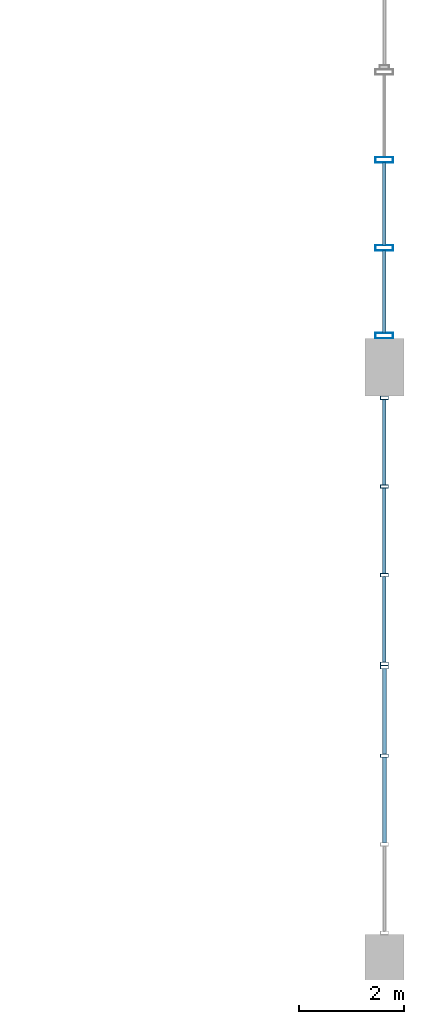
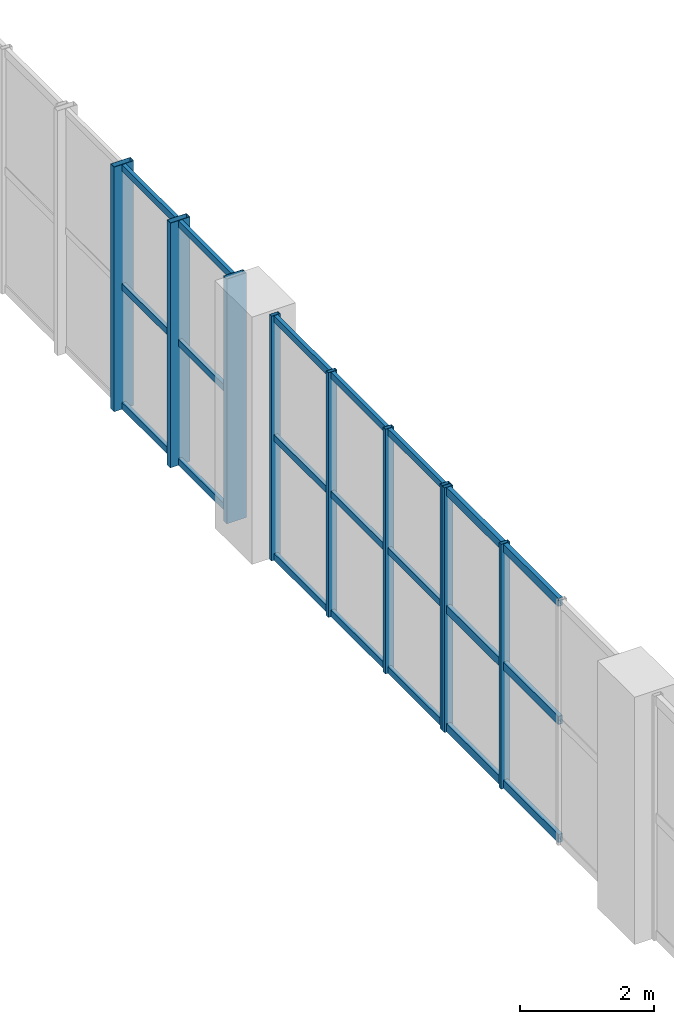
# One storey, part 49 of 80: 30 members, 3 elements without a shape of their own.
"""IFC4 building model written with IfcOpenShell, lengths in metres."""

from ifc_helpers import new_model, si_unit, direction, frame, origin, origin_2d, place, context, subcontext, project, spatial, hollow_rectangle, extrude, material, layer, layer_set, material_profile, profile_set, type_object, element, aggregate, save


model = new_model("IFC4")

# Units and contexts
model_context = context("Model", 3, precision=1e-05, world=origin(), true_north=direction((0.0, 1.0)))
body_context = subcontext(model_context, "Body", "Model", "MODEL_VIEW")
ifc_project = project(units=[si_unit("LENGTHUNIT", "METRE"), si_unit("AREAUNIT", "SQUARE_METRE"), si_unit("VOLUMEUNIT", "CUBIC_METRE"), si_unit("PLANEANGLEUNIT", "RADIAN"), si_unit("MASSUNIT", "GRAM", prefix="KILO"), si_unit("POWERUNIT", "WATT"), si_unit("THERMODYNAMICTEMPERATUREUNIT", "KELVIN")], contexts=[model_context])

# Site, building, storey
site_placement = place(None, origin())
site = spatial("IfcSite", under=ifc_project, at=site_placement, CompositionType="ELEMENT")
building_placement = place(site_placement, origin())
building = spatial("IfcBuilding", under=site, at=building_placement, Name="Kelmbourne Parkland Aquatics Centre", CompositionType="ELEMENT")
storey_placement = place(building_placement, frame((0.0, 0.0, 10.199951171875)))
storey = spatial("IfcBuildingStorey", under=building, at=storey_placement, Name="L02", CompositionType="ELEMENT", Elevation=10.199951171875)

# Curtain wall, members
ifc_material = material(Name="Thermally broken anodised aluminium framing", Category="aluminium")
ifc_layer_1 = layer(ifc_material, 0.179931640625)
ifc_layer_set_1 = layer_set([ifc_layer_1], Name="Thermally broken anodised aluminium framing")
curtain_wall_type_1 = type_object("IfcCurtainWallType", Name="CW-22", PredefinedType="NOTDEFINED", material=ifc_layer_set_1)
curtain_wall_1_placement = place(storey_placement, origin())
curtain_wall_1 = element("IfcCurtainWall", 1, at=curtain_wall_1_placement, inside=storey, type_object=curtain_wall_type_1, Name="Wave-hall clerestory curtain wall CW-L02-070", PredefinedType="NOTDEFINED")
ifc_material_profile_1 = material_profile(ifc_material, hollow_rectangle(XDim=0.06494140625, YDim=0.14990234375, WallThickness=0.00390625, at=origin_2d()), Name="CW-M 65x150")
ifc_profile_set_1 = profile_set([ifc_material_profile_1], Name="Thermally broken anodised aluminium framing")
member_type_1 = type_object("IfcMemberType", Name="MB-MUL-1", PredefinedType="MULLION", material=ifc_profile_set_1)
member_1_placement = place(storey_placement, frame((175.199951171875, 84.5732421875, 0.0), z_axis=(0.0, 0.0, 1.0), x_axis=(0.0, 1.0, 0.0)))
member_1 = element("IfcMember", 2, at=member_1_placement, type_object=member_type_1, Name="CW-L02-070 mullion 2", PredefinedType="MULLION", context=body_context, shape_type="SweptSolid", body=[
    extrude(hollow_rectangle(XDim=0.06494140625, YDim=0.14990234375, WallThickness=0.00390625, at=origin_2d()), origin(), (0.0, 0.0, 1.0), 4.449951171875),
])
member_2_placement = place(storey_placement, frame((175.199951171875, 86.267578125, 0.0), z_axis=(0.0, 0.0, 1.0), x_axis=(0.0, 1.0, 0.0)))
member_2 = element("IfcMember", 3, at=member_2_placement, type_object=member_type_1, Name="CW-L02-070 mullion 3", PredefinedType="MULLION", context=body_context, shape_type="SweptSolid", body=[
    extrude(hollow_rectangle(XDim=0.06494140625, YDim=0.14990234375, WallThickness=0.00390625, at=origin_2d()), origin(), (0.0, 0.0, 1.0), 4.449951171875),
])

ifc_layer_2 = layer(ifc_material, 0.179931640625)
ifc_layer_set_2 = layer_set([ifc_layer_2], Name="Thermally broken anodised aluminium framing")
curtain_wall_type_2 = type_object("IfcCurtainWallType", Name="CW-03", PredefinedType="NOTDEFINED", material=ifc_layer_set_2)
curtain_wall_2_placement = place(storey_placement, origin())
curtain_wall_2 = element("IfcCurtainWall", 4, at=curtain_wall_2_placement, inside=storey, type_object=curtain_wall_type_2, Name="Wave-hall clerestory curtain wall CW-L02-075", PredefinedType="NOTDEFINED")
member_3_placement = place(storey_placement, frame((175.199951171875, 86.33251953125, 0.0), z_axis=(0.0, 0.0, 1.0), x_axis=(0.0, 1.0, 0.0)))
member_3 = element("IfcMember", 5, at=member_3_placement, type_object=member_type_1, Name="CW-L02-075 mullion 0", PredefinedType="MULLION", context=body_context, shape_type="SweptSolid", body=[
    extrude(hollow_rectangle(XDim=0.06494140625, YDim=0.14990234375, WallThickness=0.00390625, at=origin_2d()), origin(), (0.0, 0.0, 1.0), 4.449951171875),
])
member_4_placement = place(storey_placement, frame((175.199951171875, 88.02685546875, 0.0), z_axis=(0.0, 0.0, 1.0), x_axis=(0.0, 1.0, 0.0)))
member_4 = element("IfcMember", 6, at=member_4_placement, type_object=member_type_1, Name="CW-L02-075 mullion 1", PredefinedType="MULLION", context=body_context, shape_type="SweptSolid", body=[
    extrude(hollow_rectangle(XDim=0.06494140625, YDim=0.14990234375, WallThickness=0.00390625, at=origin_2d()), origin(), (0.0, 0.0, 1.0), 4.449951171875),
])
member_5_placement = place(storey_placement, frame((175.199951171875, 89.72119140625, 0.0), z_axis=(0.0, 0.0, 1.0), x_axis=(0.0, 1.0, 0.0)))
member_5 = element("IfcMember", 7, at=member_5_placement, type_object=member_type_1, Name="CW-L02-075 mullion 2", PredefinedType="MULLION", context=body_context, shape_type="SweptSolid", body=[
    extrude(hollow_rectangle(XDim=0.06494140625, YDim=0.14990234375, WallThickness=0.00390625, at=origin_2d()), origin(), (0.0, 0.0, 1.0), 4.449951171875),
])
member_6_placement = place(storey_placement, frame((175.199951171875, 91.41552734375, 0.0), z_axis=(0.0, 0.0, 1.0), x_axis=(0.0, 1.0, 0.0)))
member_6 = element("IfcMember", 8, at=member_6_placement, type_object=member_type_1, Name="CW-L02-075 mullion 3", PredefinedType="MULLION", context=body_context, shape_type="SweptSolid", body=[
    extrude(hollow_rectangle(XDim=0.06494140625, YDim=0.14990234375, WallThickness=0.00390625, at=origin_2d()), origin(), (0.0, 0.0, 1.0), 4.449951171875),
])

ifc_layer_3 = layer(ifc_material, 0.179931640625)
ifc_layer_set_3 = layer_set([ifc_layer_3], Name="Thermally broken anodised aluminium framing")
curtain_wall_type_3 = type_object("IfcCurtainWallType", Name="CW-12", PredefinedType="NOTDEFINED", material=ifc_layer_set_3)
curtain_wall_3_placement = place(storey_placement, origin())
curtain_wall_3 = element("IfcCurtainWall", 9, at=curtain_wall_3_placement, inside=storey, type_object=curtain_wall_type_3, Name="Wave-hall clerestory curtain wall CW-L02-084", PredefinedType="NOTDEFINED")
ifc_material_profile_2 = material_profile(ifc_material, hollow_rectangle(XDim=0.10498046875, YDim=0.340087890625, WallThickness=0.006103515625, at=origin_2d()), Name="CW-M 105x340")
ifc_profile_set_2 = profile_set([ifc_material_profile_2], Name="Thermally broken anodised aluminium framing")
member_type_2 = type_object("IfcMemberType", Name="MB-MUL-5", PredefinedType="MULLION", material=ifc_profile_set_2)
member_7_placement = place(storey_placement, frame((175.199951171875, 92.6044921875, 0.0), z_axis=(0.0, 0.0, 1.0), x_axis=(0.0, 1.0, 0.0)))
member_7 = element("IfcMember", 10, at=member_7_placement, type_object=member_type_2, Name="CW-L02-084 mullion 0", PredefinedType="MULLION", context=body_context, shape_type="SweptSolid", body=[
    extrude(hollow_rectangle(XDim=0.10498046875, YDim=0.340087890625, WallThickness=0.006103515625, at=origin_2d()), origin(), (0.0, 0.0, 1.0), 4.449951171875),
])
member_8_placement = place(storey_placement, frame((175.199951171875, 94.285400390625, 0.0), z_axis=(0.0, 0.0, 1.0), x_axis=(0.0, 1.0, 0.0)))
member_8 = element("IfcMember", 11, at=member_8_placement, type_object=member_type_2, Name="CW-L02-084 mullion 1", PredefinedType="MULLION", context=body_context, shape_type="SweptSolid", body=[
    extrude(hollow_rectangle(XDim=0.10498046875, YDim=0.340087890625, WallThickness=0.006103515625, at=origin_2d()), origin(), (0.0, 0.0, 1.0), 4.449951171875),
])
member_9_placement = place(storey_placement, frame((175.199951171875, 95.966552734375, 0.0), z_axis=(0.0, 0.0, 1.0), x_axis=(0.0, 1.0, 0.0)))
member_9 = element("IfcMember", 12, at=member_9_placement, type_object=member_type_2, Name="CW-L02-084 mullion 2", PredefinedType="MULLION", context=body_context, shape_type="SweptSolid", body=[
    extrude(hollow_rectangle(XDim=0.10498046875, YDim=0.340087890625, WallThickness=0.006103515625, at=origin_2d()), origin(), (0.0, 0.0, 1.0), 4.449951171875),
])

# Member
ifc_material_profile_3 = material_profile(ifc_material, hollow_rectangle(XDim=0.06494140625, YDim=0.1201171875, WallThickness=0.00341796875, at=origin_2d()), Name="CW-T 65x120")
ifc_profile_set_3 = profile_set([ifc_material_profile_3], Name="Thermally broken anodised aluminium framing")
member_type_3 = type_object("IfcMemberType", Name="MB-TRN-1", PredefinedType="USERDEFINED", material=ifc_profile_set_3)
member_10_placement = place(storey_placement, frame((175.199951171875, 86.361083984375, 0.06298828125), z_axis=(0.0, 1.0, 0.0), x_axis=(-1.0, 0.0, 0.0)))
member_10 = element("IfcMember", 13, at=member_10_placement, type_object=member_type_3, Name="CW-L02-075 transom 0-0", ObjectType="TRANSOM", PredefinedType="USERDEFINED", context=body_context, shape_type="SweptSolid", body=[
    extrude(hollow_rectangle(XDim=0.06494140625, YDim=0.1201171875, WallThickness=0.00341796875, at=origin_2d()), origin(), (0.0, 0.0, 1.0), 1.63720703125),
])

member_11_placement = place(storey_placement, frame((175.199951171875, 88.055419921875, 0.06298828125), z_axis=(0.0, 1.0, 0.0), x_axis=(-1.0, 0.0, 0.0)))
member_11 = element("IfcMember", 14, at=member_11_placement, type_object=member_type_3, Name="CW-L02-075 transom 0-1", ObjectType="TRANSOM", PredefinedType="USERDEFINED", context=body_context, shape_type="SweptSolid", body=[
    extrude(hollow_rectangle(XDim=0.06494140625, YDim=0.1201171875, WallThickness=0.00341796875, at=origin_2d()), origin(), (0.0, 0.0, 1.0), 1.63720703125),
])

member_12_placement = place(storey_placement, frame((175.199951171875, 89.749755859375, 0.06298828125), z_axis=(0.0, 1.0, 0.0), x_axis=(-1.0, 0.0, 0.0)))
member_12 = element("IfcMember", 15, at=member_12_placement, type_object=member_type_3, Name="CW-L02-075 transom 0-2", ObjectType="TRANSOM", PredefinedType="USERDEFINED", context=body_context, shape_type="SweptSolid", body=[
    extrude(hollow_rectangle(XDim=0.06494140625, YDim=0.1201171875, WallThickness=0.00341796875, at=origin_2d()), origin(), (0.0, 0.0, 1.0), 1.63720703125),
])

member_13_placement = place(storey_placement, frame((175.199951171875, 86.361083984375, 2.22509765625), z_axis=(0.0, 1.0, 0.0), x_axis=(-1.0, 0.0, 0.0)))
member_13 = element("IfcMember", 16, at=member_13_placement, type_object=member_type_3, Name="CW-L02-075 transom 1-0", ObjectType="TRANSOM", PredefinedType="USERDEFINED", context=body_context, shape_type="SweptSolid", body=[
    extrude(hollow_rectangle(XDim=0.06494140625, YDim=0.1201171875, WallThickness=0.00341796875, at=origin_2d()), origin(), (0.0, 0.0, 1.0), 1.63720703125),
])

member_14_placement = place(storey_placement, frame((175.199951171875, 88.055419921875, 2.22509765625), z_axis=(0.0, 1.0, 0.0), x_axis=(-1.0, 0.0, 0.0)))
member_14 = element("IfcMember", 17, at=member_14_placement, type_object=member_type_3, Name="CW-L02-075 transom 1-1", ObjectType="TRANSOM", PredefinedType="USERDEFINED", context=body_context, shape_type="SweptSolid", body=[
    extrude(hollow_rectangle(XDim=0.06494140625, YDim=0.1201171875, WallThickness=0.00341796875, at=origin_2d()), origin(), (0.0, 0.0, 1.0), 1.63720703125),
])

member_15_placement = place(storey_placement, frame((175.199951171875, 89.749755859375, 2.22509765625), z_axis=(0.0, 1.0, 0.0), x_axis=(-1.0, 0.0, 0.0)))
member_15 = element("IfcMember", 18, at=member_15_placement, type_object=member_type_3, Name="CW-L02-075 transom 1-2", ObjectType="TRANSOM", PredefinedType="USERDEFINED", context=body_context, shape_type="SweptSolid", body=[
    extrude(hollow_rectangle(XDim=0.06494140625, YDim=0.1201171875, WallThickness=0.00341796875, at=origin_2d()), origin(), (0.0, 0.0, 1.0), 1.63720703125),
])

member_16_placement = place(storey_placement, frame((175.199951171875, 86.361083984375, 4.386962890625), z_axis=(0.0, 1.0, 0.0), x_axis=(-1.0, 0.0, 0.0)))
member_16 = element("IfcMember", 19, at=member_16_placement, type_object=member_type_3, Name="CW-L02-075 transom 2-0", ObjectType="TRANSOM", PredefinedType="USERDEFINED", context=body_context, shape_type="SweptSolid", body=[
    extrude(hollow_rectangle(XDim=0.06494140625, YDim=0.1201171875, WallThickness=0.00341796875, at=origin_2d()), origin(), (0.0, 0.0, 1.0), 1.63720703125),
])

member_17_placement = place(storey_placement, frame((175.199951171875, 88.055419921875, 4.386962890625), z_axis=(0.0, 1.0, 0.0), x_axis=(-1.0, 0.0, 0.0)))
member_17 = element("IfcMember", 20, at=member_17_placement, type_object=member_type_3, Name="CW-L02-075 transom 2-1", ObjectType="TRANSOM", PredefinedType="USERDEFINED", context=body_context, shape_type="SweptSolid", body=[
    extrude(hollow_rectangle(XDim=0.06494140625, YDim=0.1201171875, WallThickness=0.00341796875, at=origin_2d()), origin(), (0.0, 0.0, 1.0), 1.63720703125),
])

member_18_placement = place(storey_placement, frame((175.199951171875, 89.749755859375, 4.386962890625), z_axis=(0.0, 1.0, 0.0), x_axis=(-1.0, 0.0, 0.0)))
member_18 = element("IfcMember", 21, at=member_18_placement, type_object=member_type_3, Name="CW-L02-075 transom 2-2", ObjectType="TRANSOM", PredefinedType="USERDEFINED", context=body_context, shape_type="SweptSolid", body=[
    extrude(hollow_rectangle(XDim=0.06494140625, YDim=0.1201171875, WallThickness=0.00341796875, at=origin_2d()), origin(), (0.0, 0.0, 1.0), 1.63720703125),
])

aggregate(curtain_wall_2, [member_3, member_4, member_5, member_6, member_10, member_11, member_12, member_13, member_14, member_15, member_16, member_17, member_18])

member_19_placement = place(storey_placement, frame((175.199951171875, 92.653076171875, 0.06298828125), z_axis=(0.0, 1.0, 0.0), x_axis=(-1.0, 0.0, 0.0)))
member_19 = element("IfcMember", 22, at=member_19_placement, type_object=member_type_3, Name="CW-L02-084 transom 0-0", ObjectType="TRANSOM", PredefinedType="USERDEFINED", context=body_context, shape_type="SweptSolid", body=[
    extrude(hollow_rectangle(XDim=0.06494140625, YDim=0.1201171875, WallThickness=0.00341796875, at=origin_2d()), origin(), (0.0, 0.0, 1.0), 1.583984375),
])

member_20_placement = place(storey_placement, frame((175.199951171875, 94.333984375, 0.06298828125), z_axis=(0.0, 1.0, 0.0), x_axis=(-1.0, 0.0, 0.0)))
member_20 = element("IfcMember", 23, at=member_20_placement, type_object=member_type_3, Name="CW-L02-084 transom 0-1", ObjectType="TRANSOM", PredefinedType="USERDEFINED", context=body_context, shape_type="SweptSolid", body=[
    extrude(hollow_rectangle(XDim=0.06494140625, YDim=0.1201171875, WallThickness=0.00341796875, at=origin_2d()), origin(), (0.0, 0.0, 1.0), 1.583984375),
])

member_21_placement = place(storey_placement, frame((175.199951171875, 92.653076171875, 2.22509765625), z_axis=(0.0, 1.0, 0.0), x_axis=(-1.0, 0.0, 0.0)))
member_21 = element("IfcMember", 24, at=member_21_placement, type_object=member_type_3, Name="CW-L02-084 transom 1-0", ObjectType="TRANSOM", PredefinedType="USERDEFINED", context=body_context, shape_type="SweptSolid", body=[
    extrude(hollow_rectangle(XDim=0.06494140625, YDim=0.1201171875, WallThickness=0.00341796875, at=origin_2d()), origin(), (0.0, 0.0, 1.0), 1.583984375),
])

member_22_placement = place(storey_placement, frame((175.199951171875, 94.333984375, 2.22509765625), z_axis=(0.0, 1.0, 0.0), x_axis=(-1.0, 0.0, 0.0)))
member_22 = element("IfcMember", 25, at=member_22_placement, type_object=member_type_3, Name="CW-L02-084 transom 1-1", ObjectType="TRANSOM", PredefinedType="USERDEFINED", context=body_context, shape_type="SweptSolid", body=[
    extrude(hollow_rectangle(XDim=0.06494140625, YDim=0.1201171875, WallThickness=0.00341796875, at=origin_2d()), origin(), (0.0, 0.0, 1.0), 1.583984375),
])

member_23_placement = place(storey_placement, frame((175.199951171875, 92.653076171875, 4.386962890625), z_axis=(0.0, 1.0, 0.0), x_axis=(-1.0, 0.0, 0.0)))
member_23 = element("IfcMember", 26, at=member_23_placement, type_object=member_type_3, Name="CW-L02-084 transom 2-0", ObjectType="TRANSOM", PredefinedType="USERDEFINED", context=body_context, shape_type="SweptSolid", body=[
    extrude(hollow_rectangle(XDim=0.06494140625, YDim=0.1201171875, WallThickness=0.00341796875, at=origin_2d()), origin(), (0.0, 0.0, 1.0), 1.583984375),
])

member_24_placement = place(storey_placement, frame((175.199951171875, 94.333984375, 4.386962890625), z_axis=(0.0, 1.0, 0.0), x_axis=(-1.0, 0.0, 0.0)))
member_24 = element("IfcMember", 27, at=member_24_placement, type_object=member_type_3, Name="CW-L02-084 transom 2-1", ObjectType="TRANSOM", PredefinedType="USERDEFINED", context=body_context, shape_type="SweptSolid", body=[
    extrude(hollow_rectangle(XDim=0.06494140625, YDim=0.1201171875, WallThickness=0.00341796875, at=origin_2d()), origin(), (0.0, 0.0, 1.0), 1.583984375),
])

aggregate(curtain_wall_3, [member_7, member_8, member_9, member_19, member_20, member_21, member_22, member_23, member_24])

ifc_material_profile_4 = material_profile(ifc_material, hollow_rectangle(XDim=0.074951171875, YDim=0.14990234375, WallThickness=0.00390625, at=origin_2d()), Name="CW-T 75x150")
ifc_profile_set_4 = profile_set([ifc_material_profile_4], Name="Thermally broken anodised aluminium framing")
member_type_4 = type_object("IfcMemberType", Name="MB-TRN-2", PredefinedType="USERDEFINED", material=ifc_profile_set_4)
member_25_placement = place(storey_placement, frame((175.199951171875, 82.9072265625, 0.078125), z_axis=(0.0, 1.0, 0.0), x_axis=(-1.0, 0.0, 0.0)))
member_25 = element("IfcMember", 28, at=member_25_placement, type_object=member_type_4, Name="CW-L02-070 transom 0-1", ObjectType="TRANSOM", PredefinedType="USERDEFINED", context=body_context, shape_type="SweptSolid", body=[
    extrude(hollow_rectangle(XDim=0.074951171875, YDim=0.14990234375, WallThickness=0.00390625, at=origin_2d()), origin(), (0.0, 0.0, 1.0), 1.637451171875),
])

member_26_placement = place(storey_placement, frame((175.199951171875, 84.601806640625, 0.078125), z_axis=(0.0, 1.0, 0.0), x_axis=(-1.0, 0.0, 0.0)))
member_26 = element("IfcMember", 29, at=member_26_placement, type_object=member_type_4, Name="CW-L02-070 transom 0-2", ObjectType="TRANSOM", PredefinedType="USERDEFINED", context=body_context, shape_type="SweptSolid", body=[
    extrude(hollow_rectangle(XDim=0.074951171875, YDim=0.14990234375, WallThickness=0.00390625, at=origin_2d()), origin(), (0.0, 0.0, 1.0), 1.63720703125),
])

member_27_placement = place(storey_placement, frame((175.199951171875, 82.9072265625, 2.22509765625), z_axis=(0.0, 1.0, 0.0), x_axis=(-1.0, 0.0, 0.0)))
member_27 = element("IfcMember", 30, at=member_27_placement, type_object=member_type_4, Name="CW-L02-070 transom 1-1", ObjectType="TRANSOM", PredefinedType="USERDEFINED", context=body_context, shape_type="SweptSolid", body=[
    extrude(hollow_rectangle(XDim=0.074951171875, YDim=0.14990234375, WallThickness=0.00390625, at=origin_2d()), origin(), (0.0, 0.0, 1.0), 1.637451171875),
])

member_28_placement = place(storey_placement, frame((175.199951171875, 84.601806640625, 2.22509765625), z_axis=(0.0, 1.0, 0.0), x_axis=(-1.0, 0.0, 0.0)))
member_28 = element("IfcMember", 31, at=member_28_placement, type_object=member_type_4, Name="CW-L02-070 transom 1-2", ObjectType="TRANSOM", PredefinedType="USERDEFINED", context=body_context, shape_type="SweptSolid", body=[
    extrude(hollow_rectangle(XDim=0.074951171875, YDim=0.14990234375, WallThickness=0.00390625, at=origin_2d()), origin(), (0.0, 0.0, 1.0), 1.63720703125),
])

member_29_placement = place(storey_placement, frame((175.199951171875, 82.9072265625, 4.3720703125), z_axis=(0.0, 1.0, 0.0), x_axis=(-1.0, 0.0, 0.0)))
member_29 = element("IfcMember", 32, at=member_29_placement, type_object=member_type_4, Name="CW-L02-070 transom 2-1", ObjectType="TRANSOM", PredefinedType="USERDEFINED", context=body_context, shape_type="SweptSolid", body=[
    extrude(hollow_rectangle(XDim=0.074951171875, YDim=0.14990234375, WallThickness=0.00390625, at=origin_2d()), origin(), (0.0, 0.0, 1.0), 1.637451171875),
])

member_30_placement = place(storey_placement, frame((175.199951171875, 84.601806640625, 4.3720703125), z_axis=(0.0, 1.0, 0.0), x_axis=(-1.0, 0.0, 0.0)))
member_30 = element("IfcMember", 33, at=member_30_placement, type_object=member_type_4, Name="CW-L02-070 transom 2-2", ObjectType="TRANSOM", PredefinedType="USERDEFINED", context=body_context, shape_type="SweptSolid", body=[
    extrude(hollow_rectangle(XDim=0.074951171875, YDim=0.14990234375, WallThickness=0.00390625, at=origin_2d()), origin(), (0.0, 0.0, 1.0), 1.63720703125),
])

aggregate(curtain_wall_1, [member_1, member_2, member_25, member_26, member_27, member_28, member_29, member_30])

save(model, "model.ifc")
